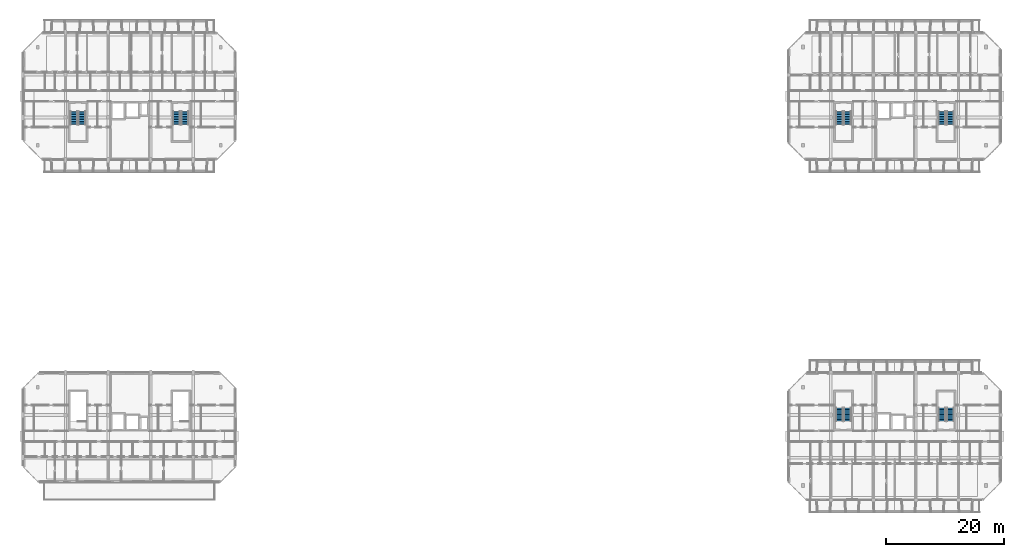
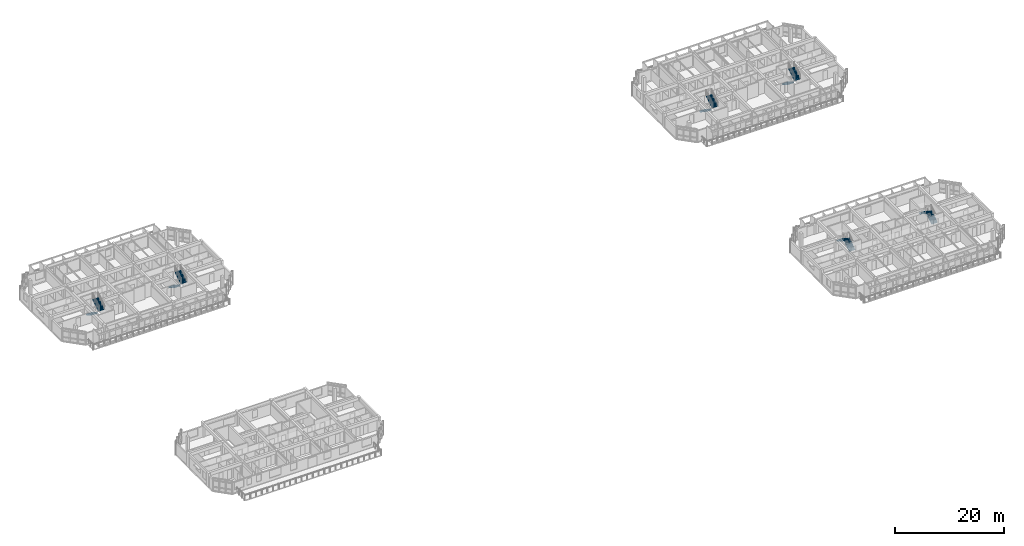
# One storey, part 29 of 40: 12 stair flights, 6 elements without a shape of their own.
"""IFC4 building model written with IfcOpenShell, lengths in metres."""

import ifcopenshell
import ifcopenshell.guid

model = None  # the IFC model being written
_history = None  # IfcOwnerHistory: only IFC2X3 demands one
_inside = {}  # id of a spatial element -> (the spatial element, [elements in it])
_under = {}  # id of a project, library or spatial element -> (it, [spatial elements below it])
_declared = {}  # id of a project -> (the project, [libraries it declares])
_typed = {}  # id of a type object -> (the type object, [elements of that type])
_made_of = {}  # id of a material, layer set ... -> (it, [elements and type objects made of it])


def new_model(schema):
    """Start an empty IFC model of exactly this schema.

    Asked for "IFC4X3", IfcOpenShell would pick the latest addendum, in which some entities
    have other attributes; the version numbers below select the first issue.
    IFC2X3 requires an IfcOwnerHistory on every rooted entity: one is made here for all.
    """
    global model, _history
    if schema == "IFC4X3":
        model = ifcopenshell.file(schema_version=(4, 3, 0, 0))
    else:
        model = ifcopenshell.file(schema=schema)
    _inside.clear()
    _under.clear()
    _declared.clear()
    _typed.clear()
    _made_of.clear()
    _history = None
    if model.schema == "IFC2X3":
        org = make("IfcOrganization", Name="unknown")
        user = make(
            "IfcPersonAndOrganization",
            ThePerson=make("IfcPerson", FamilyName="unknown"),
            TheOrganization=org,
        )
        app = make(
            "IfcApplication",
            ApplicationDeveloper=org,
            Version="unknown",
            ApplicationFullName="unknown",
            ApplicationIdentifier="unknown",
        )
        _history = make(
            "IfcOwnerHistory",
            OwningUser=user,
            OwningApplication=app,
            ChangeAction="ADDED",
            CreationDate=0,
        )
    return model


def make(cls, **values):
    """One entity of the class cls with the attributes given. An attribute that is None is left unset."""
    return model.create_entity(
        cls, **{name: value for name, value in values.items() if value is not None}
    )


def rooted(cls, **values):
    """An entity with a GlobalId (a new one), such as an element, a storey or a relation."""
    return make(cls, GlobalId=ifcopenshell.guid.new(), OwnerHistory=_history, **values)


def si_unit(unit_type, name, prefix=None):
    """IfcSIUnit, for example si_unit("LENGTHUNIT", "METRE", prefix="MILLI")."""
    return make("IfcSIUnit", UnitType=unit_type, Prefix=prefix, Name=name)


def assignment(units):
    """IfcUnitAssignment: the units of a project."""
    return None if units is None else make("IfcUnitAssignment", Units=units)


def point(xyz):
    """IfcCartesianPoint."""
    return None if xyz is None else make("IfcCartesianPoint", Coordinates=xyz)


def direction(xyz):
    """IfcDirection."""
    return None if xyz is None else make("IfcDirection", DirectionRatios=xyz)


def frame(location, z_axis=None, x_axis=None):
    """IfcAxis2Placement3D, a coordinate frame: its origin and axes. An axis left out is left unset."""
    return make(
        "IfcAxis2Placement3D",
        Location=point(location),
        Axis=direction(z_axis),
        RefDirection=direction(x_axis),
    )


def origin():
    """The frame at (0, 0, 0) with its axes left unset."""
    return frame((0.0, 0.0, 0.0))


def place(relative_to, where):
    """IfcLocalPlacement: puts the frame where relative to a parent placement (None: the world)."""
    return make(
        "IfcLocalPlacement", PlacementRelTo=relative_to, RelativePlacement=where
    )


def context(
    kind, dimensions, precision=None, world=None, true_north=None, identifier=None
):
    """IfcGeometricRepresentationContext, for example the 3D "Model" context."""
    return make(
        "IfcGeometricRepresentationContext",
        ContextIdentifier=identifier,
        ContextType=kind,
        CoordinateSpaceDimension=dimensions,
        Precision=precision,
        WorldCoordinateSystem=world,
        TrueNorth=true_north,
    )


def subcontext(parent, identifier, kind, view, scale=None):
    """IfcGeometricRepresentationSubContext, for example "Body" below "Model"."""
    return make(
        "IfcGeometricRepresentationSubContext",
        ContextIdentifier=identifier,
        ContextType=kind,
        ParentContext=parent,
        TargetScale=scale,
        TargetView=view,
    )


def project(units=None, contexts=None):
    """IfcProject with its units and contexts."""
    return rooted(
        "IfcProject",
        Name="project",
        RepresentationContexts=contexts,
        UnitsInContext=assignment(units),
    )


def spatial(cls, under=None, at=None, **own):
    """A site, building, storey or space (cls), placed at a placement, below another one or the project."""
    s = rooted(cls, ObjectPlacement=at, **own)
    if under is not None:
        _under.setdefault(under.id(), (under, []))[1].append(s)
    return s


def polyline(points):
    """IfcPolyline through the points."""
    return make("IfcPolyline", Points=[point(p) for p in points])


def outline(outer, holes=None, kind="AREA"):
    """IfcArbitraryClosedProfileDef: a profile drawn as a closed curve; with holes, ...WithVoids."""
    if holes is None:
        return make("IfcArbitraryClosedProfileDef", ProfileType=kind, OuterCurve=outer)
    return make(
        "IfcArbitraryProfileDefWithVoids",
        ProfileType=kind,
        OuterCurve=outer,
        InnerCurves=holes,
    )


def extrude(swept, where, along, depth):
    """IfcExtrudedAreaSolid: the profile swept, set in the frame where, extruded along a direction by depth."""
    return make(
        "IfcExtrudedAreaSolid",
        SweptArea=swept,
        Position=where,
        ExtrudedDirection=direction(along),
        Depth=depth,
    )


def shape(context_of_items, identifier, shape_type, items):
    """IfcShapeRepresentation: the items that make up one representation, for example the "Body"."""
    return make(
        "IfcShapeRepresentation",
        ContextOfItems=context_of_items,
        RepresentationIdentifier=identifier,
        RepresentationType=shape_type,
        Items=items,
    )


def material(Name=None, Category=None):
    """IfcMaterial."""
    return make("IfcMaterial", Name=Name, Category=Category)


def made_of(thing, what):
    """Note that an element or type object is made of a material, layer set ...; save() writes the relation."""
    if what is not None:
        _made_of.setdefault(what.id(), (what, []))[1].append(thing)
    return thing


def type_object(cls, material=None, **own):
    """A type object (cls), such as IfcWallType, which elements share."""
    return made_of(rooted(cls, **own), material)


def element(
    cls,
    number,
    at=None,
    inside=None,
    cuts=None,
    type_object=None,
    material=None,
    context=None,
    identifier="Body",
    shape_type=None,
    held_by="IfcProductDefinitionShape",
    body=None,
    shapes=None,
    **own,
):
    """One element of the class cls, such as IfcWall. Its Tag is "e" and its number.

    at: its placement. inside: the storey or other place that contains it. cuts: it is an
    opening in that element (IfcRelVoidsElement). A single representation is given by context,
    identifier, shape_type and body (its items); several are given by shapes. held_by: the class
    of the entity that holds the representations. save() writes the other relations.
    """
    e = rooted(cls, Tag="e%d" % number, ObjectPlacement=at, **own)
    if body is not None:
        shapes = [shape(context, identifier, shape_type, body)]
    if shapes is not None:
        e.Representation = make(held_by, Representations=shapes)
    if inside is not None:
        _inside.setdefault(inside.id(), (inside, []))[1].append(e)
    if cuts is not None:
        rooted(
            "IfcRelVoidsElement", RelatingBuildingElement=cuts, RelatedOpeningElement=e
        )
    if type_object is not None:
        _typed.setdefault(type_object.id(), (type_object, []))[1].append(e)
    return made_of(e, material)


def aggregate(whole, parts):
    """IfcRelAggregates: a whole, such as a stair, and the parts it consists of."""
    return rooted("IfcRelAggregates", RelatingObject=whole, RelatedObjects=parts)


def save(model, path):
    """Write the relations noted so far, then the file.

    IfcRelAggregates (storeys below a building ...), IfcRelContainedInSpatialStructure (elements
    in a storey), IfcRelDefinesByType, IfcRelAssociatesMaterial and IfcRelDeclares: one each for
    every whole, place, type object, material and project.
    """
    for whole, parts in _under.values():
        aggregate(whole, parts)
    for where, things in _inside.values():
        rooted(
            "IfcRelContainedInSpatialStructure",
            RelatedElements=things,
            RelatingStructure=where,
        )
    for kind, things in _typed.values():
        rooted("IfcRelDefinesByType", RelatedObjects=things, RelatingType=kind)
    for what, things in _made_of.values():
        rooted("IfcRelAssociatesMaterial", RelatedObjects=things, RelatingMaterial=what)
    for by, libraries in _declared.values():
        rooted("IfcRelDeclares", RelatingContext=by, RelatedDefinitions=libraries)
    model.write(path)


model = new_model("IFC4")

# Units and contexts
model_context = context("Model", 3, precision=1e-05, world=origin(), true_north=direction((0.0, 1.0)))
body_context = subcontext(model_context, "Body", "Model", "MODEL_VIEW")
ifc_project = project(units=[si_unit("LENGTHUNIT", "METRE"), si_unit("AREAUNIT", "SQUARE_METRE"), si_unit("VOLUMEUNIT", "CUBIC_METRE"), si_unit("PLANEANGLEUNIT", "RADIAN"), si_unit("MASSUNIT", "GRAM", prefix="KILO")], contexts=[model_context])

# Site, building, storey
site_placement = place(None, origin())
site = spatial("IfcSite", under=ifc_project, at=site_placement, CompositionType="ELEMENT")
building_placement = place(site_placement, origin())
building = spatial("IfcBuilding", under=site, at=building_placement, Name="Ochrevale Crest", CompositionType="ELEMENT")
storey_placement = place(building_placement, frame((0.0, 0.0, 27.60009765625)))
storey = spatial("IfcBuildingStorey", under=building, at=storey_placement, Name="L08", CompositionType="ELEMENT", Elevation=27.60009765625)

# Stair, stair flights
ifc_material = material(Name="Precast concrete C40/50", Category="concrete")
stair_type = type_object("IfcStairType", Name="ST-CORE-DOG", PredefinedType="HALF_TURN_STAIR", material=ifc_material)
stair_1_placement = place(storey_placement, origin())
stair_1 = element("IfcStair", 1, at=stair_1_placement, inside=storey, type_object=stair_type, Name="L08 Block B Fire Stair 1", PredefinedType="HALF_TURN_STAIR")
stair_flight_type = type_object("IfcStairFlightType", Name="SFL-CORE-125", PredefinedType="STRAIGHT", material=ifc_material)
stair_flight_1_placement = place(storey_placement, frame((8.625, 80.22509765625, 0.0), z_axis=(0.0, 0.0, 1.0), x_axis=(0.0, -1.0, 0.0)))
stair_flight_1 = element("IfcStairFlight", 2, at=stair_flight_1_placement, type_object=stair_flight_type, Name="ST-B1 flight 1", NumberOfRisers=9, NumberOfTreads=8, PredefinedType="STRAIGHT", RiserHeight=0.175, TreadLength=0.28, context=body_context, shape_type="SweptSolid", body=[
    extrude(outline(polyline([(0.0, 0.0), (0.0, 0.175048828125), (0.280029296875, 0.175048828125), (0.280029296875, 0.35009765625), (0.56005859375, 0.35009765625), (0.56005859375, 0.52490234375), (0.840087890625, 0.52490234375), (0.840087890625, 0.699951171875), (1.1201171875, 0.699951171875), (1.1201171875, 0.875), (1.39990234375, 0.875), (1.39990234375, 1.050048828125), (1.679931640625, 1.050048828125), (1.679931640625, 1.22509765625), (1.9599609375, 1.22509765625), (1.9599609375, 1.39990234375), (2.239990234375, 1.39990234375), (2.239990234375, 1.574951171875), (2.239990234375, 1.22314453125), (0.28271484375, 0.0), (0.0, 0.0)])), frame((0.0, 0.625, 0.0), z_axis=(0.0, -1.0, 0.0), x_axis=(1.0, 0.0, 0.0)), (0.0, 0.0, 1.0), 1.25),
])
stair_flight_2_placement = place(storey_placement, frame((10.02490234375, 77.985107421875, 1.574951171875), z_axis=(0.0, 0.0, 1.0), x_axis=(0.0, 1.0, 0.0)))
stair_flight_2 = element("IfcStairFlight", 3, at=stair_flight_2_placement, type_object=stair_flight_type, Name="ST-B1 flight 2", NumberOfRisers=9, NumberOfTreads=8, PredefinedType="STRAIGHT", RiserHeight=0.175, TreadLength=0.28, context=body_context, shape_type="SweptSolid", body=[
    extrude(outline(polyline([(0.0, 0.0), (0.0, 0.175048828125), (0.280029296875, 0.175048828125), (0.280029296875, 0.35009765625), (0.56005859375, 0.35009765625), (0.56005859375, 0.52490234375), (0.840087890625, 0.52490234375), (0.840087890625, 0.699951171875), (1.1201171875, 0.699951171875), (1.1201171875, 0.875), (1.39990234375, 0.875), (1.39990234375, 1.050048828125), (1.679931640625, 1.050048828125), (1.679931640625, 1.22509765625), (1.9599609375, 1.22509765625), (1.9599609375, 1.39990234375), (2.239990234375, 1.39990234375), (2.239990234375, 1.574951171875), (2.239990234375, 1.22314453125), (0.28271484375, 0.0), (0.0, 0.0)])), frame((0.0, 0.625, 0.0), z_axis=(0.0, -1.0, 0.0), x_axis=(1.0, 0.0, 0.0)), (0.0, 0.0, 1.0), 1.25),
])
aggregate(stair_1, [stair_flight_1, stair_flight_2])

stair_2_placement = place(storey_placement, origin())
stair_2 = element("IfcStair", 4, at=stair_2_placement, inside=storey, type_object=stair_type, Name="L08 Block B Fire Stair 2", PredefinedType="HALF_TURN_STAIR")
stair_flight_3_placement = place(storey_placement, frame((26.02490234375, 80.22509765625, 0.0), z_axis=(0.0, 0.0, 1.0), x_axis=(0.0, -1.0, 0.0)))
stair_flight_3 = element("IfcStairFlight", 5, at=stair_flight_3_placement, type_object=stair_flight_type, Name="ST-B2 flight 1", NumberOfRisers=9, NumberOfTreads=8, PredefinedType="STRAIGHT", RiserHeight=0.175, TreadLength=0.28, context=body_context, shape_type="SweptSolid", body=[
    extrude(outline(polyline([(0.0, 0.0), (0.0, 0.175048828125), (0.280029296875, 0.175048828125), (0.280029296875, 0.35009765625), (0.56005859375, 0.35009765625), (0.56005859375, 0.52490234375), (0.840087890625, 0.52490234375), (0.840087890625, 0.699951171875), (1.1201171875, 0.699951171875), (1.1201171875, 0.875), (1.39990234375, 0.875), (1.39990234375, 1.050048828125), (1.679931640625, 1.050048828125), (1.679931640625, 1.22509765625), (1.9599609375, 1.22509765625), (1.9599609375, 1.39990234375), (2.239990234375, 1.39990234375), (2.239990234375, 1.574951171875), (2.239990234375, 1.22314453125), (0.28271484375, 0.0), (0.0, 0.0)])), frame((0.0, 0.625, 0.0), z_axis=(0.0, -1.0, 0.0), x_axis=(1.0, 0.0, 0.0)), (0.0, 0.0, 1.0), 1.25),
])
stair_flight_4_placement = place(storey_placement, frame((27.425048828125, 77.985107421875, 1.574951171875), z_axis=(0.0, 0.0, 1.0), x_axis=(0.0, 1.0, 0.0)))
stair_flight_4 = element("IfcStairFlight", 6, at=stair_flight_4_placement, type_object=stair_flight_type, Name="ST-B2 flight 2", NumberOfRisers=9, NumberOfTreads=8, PredefinedType="STRAIGHT", RiserHeight=0.175, TreadLength=0.28, context=body_context, shape_type="SweptSolid", body=[
    extrude(outline(polyline([(0.0, 0.0), (0.0, 0.175048828125), (0.280029296875, 0.175048828125), (0.280029296875, 0.35009765625), (0.56005859375, 0.35009765625), (0.56005859375, 0.52490234375), (0.840087890625, 0.52490234375), (0.840087890625, 0.699951171875), (1.1201171875, 0.699951171875), (1.1201171875, 0.875), (1.39990234375, 0.875), (1.39990234375, 1.050048828125), (1.679931640625, 1.050048828125), (1.679931640625, 1.22509765625), (1.9599609375, 1.22509765625), (1.9599609375, 1.39990234375), (2.239990234375, 1.39990234375), (2.239990234375, 1.574951171875), (2.239990234375, 1.22314453125), (0.28271484375, 0.0), (0.0, 0.0)])), frame((0.0, 0.625, 0.0), z_axis=(0.0, -1.0, 0.0), x_axis=(1.0, 0.0, 0.0)), (0.0, 0.0, 1.0), 1.25),
])
aggregate(stair_2, [stair_flight_3, stair_flight_4])

stair_3_placement = place(storey_placement, origin())
stair_3 = element("IfcStair", 7, at=stair_3_placement, inside=storey, type_object=stair_type, Name="L08 Block C Fire Stair 1", PredefinedType="HALF_TURN_STAIR")
stair_flight_5_placement = place(storey_placement, frame((139.625, 27.77490234375, 0.0), z_axis=(0.0, 0.0, 1.0), x_axis=(0.0, 1.0, 0.0)))
stair_flight_5 = element("IfcStairFlight", 8, at=stair_flight_5_placement, type_object=stair_flight_type, Name="ST-C1 flight 1", NumberOfRisers=9, NumberOfTreads=8, PredefinedType="STRAIGHT", RiserHeight=0.175, TreadLength=0.28, context=body_context, shape_type="SweptSolid", body=[
    extrude(outline(polyline([(0.0, 0.0), (0.0, 0.175048828125), (0.280029296875, 0.175048828125), (0.280029296875, 0.35009765625), (0.56005859375, 0.35009765625), (0.56005859375, 0.52490234375), (0.840087890625, 0.52490234375), (0.840087890625, 0.699951171875), (1.1201171875, 0.699951171875), (1.1201171875, 0.875), (1.39990234375, 0.875), (1.39990234375, 1.050048828125), (1.679931640625, 1.050048828125), (1.679931640625, 1.22509765625), (1.9599609375, 1.22509765625), (1.9599609375, 1.39990234375), (2.239990234375, 1.39990234375), (2.239990234375, 1.574951171875), (2.239990234375, 1.22314453125), (0.28271484375, 0.0), (0.0, 0.0)])), frame((0.0, 0.625, 0.0), z_axis=(0.0, -1.0, 0.0), x_axis=(1.0, 0.0, 0.0)), (0.0, 0.0, 1.0), 1.25),
])
stair_flight_6_placement = place(storey_placement, frame((138.22509765625, 30.014892578125, 1.574951171875), z_axis=(0.0, 0.0, 1.0), x_axis=(0.0, -1.0, 0.0)))
stair_flight_6 = element("IfcStairFlight", 9, at=stair_flight_6_placement, type_object=stair_flight_type, Name="ST-C1 flight 2", NumberOfRisers=9, NumberOfTreads=8, PredefinedType="STRAIGHT", RiserHeight=0.175, TreadLength=0.28, context=body_context, shape_type="SweptSolid", body=[
    extrude(outline(polyline([(0.0, 0.0), (0.0, 0.175048828125), (0.280029296875, 0.175048828125), (0.280029296875, 0.35009765625), (0.56005859375, 0.35009765625), (0.56005859375, 0.52490234375), (0.840087890625, 0.52490234375), (0.840087890625, 0.699951171875), (1.1201171875, 0.699951171875), (1.1201171875, 0.875), (1.39990234375, 0.875), (1.39990234375, 1.050048828125), (1.679931640625, 1.050048828125), (1.679931640625, 1.22509765625), (1.9599609375, 1.22509765625), (1.9599609375, 1.39990234375), (2.239990234375, 1.39990234375), (2.239990234375, 1.574951171875), (2.239990234375, 1.22314453125), (0.28271484375, 0.0), (0.0, 0.0)])), frame((0.0, 0.625, 0.0), z_axis=(0.0, -1.0, 0.0), x_axis=(1.0, 0.0, 0.0)), (0.0, 0.0, 1.0), 1.25),
])
aggregate(stair_3, [stair_flight_5, stair_flight_6])

stair_4_placement = place(storey_placement, origin())
stair_4 = element("IfcStair", 10, at=stair_4_placement, inside=storey, type_object=stair_type, Name="L08 Block C Fire Stair 2", PredefinedType="HALF_TURN_STAIR")
stair_flight_7_placement = place(storey_placement, frame((157.02490234375, 27.77490234375, 0.0), z_axis=(0.0, 0.0, 1.0), x_axis=(0.0, 1.0, 0.0)))
stair_flight_7 = element("IfcStairFlight", 11, at=stair_flight_7_placement, type_object=stair_flight_type, Name="ST-C2 flight 1", NumberOfRisers=9, NumberOfTreads=8, PredefinedType="STRAIGHT", RiserHeight=0.175, TreadLength=0.28, context=body_context, shape_type="SweptSolid", body=[
    extrude(outline(polyline([(0.0, 0.0), (0.0, 0.175048828125), (0.280029296875, 0.175048828125), (0.280029296875, 0.35009765625), (0.56005859375, 0.35009765625), (0.56005859375, 0.52490234375), (0.840087890625, 0.52490234375), (0.840087890625, 0.699951171875), (1.1201171875, 0.699951171875), (1.1201171875, 0.875), (1.39990234375, 0.875), (1.39990234375, 1.050048828125), (1.679931640625, 1.050048828125), (1.679931640625, 1.22509765625), (1.9599609375, 1.22509765625), (1.9599609375, 1.39990234375), (2.239990234375, 1.39990234375), (2.239990234375, 1.574951171875), (2.239990234375, 1.22314453125), (0.28271484375, 0.0), (0.0, 0.0)])), frame((0.0, 0.625, 0.0), z_axis=(0.0, -1.0, 0.0), x_axis=(1.0, 0.0, 0.0)), (0.0, 0.0, 1.0), 1.25),
])
stair_flight_8_placement = place(storey_placement, frame((155.625, 30.014892578125, 1.574951171875), z_axis=(0.0, 0.0, 1.0), x_axis=(0.0, -1.0, 0.0)))
stair_flight_8 = element("IfcStairFlight", 12, at=stair_flight_8_placement, type_object=stair_flight_type, Name="ST-C2 flight 2", NumberOfRisers=9, NumberOfTreads=8, PredefinedType="STRAIGHT", RiserHeight=0.175, TreadLength=0.28, context=body_context, shape_type="SweptSolid", body=[
    extrude(outline(polyline([(0.0, 0.0), (0.0, 0.175048828125), (0.280029296875, 0.175048828125), (0.280029296875, 0.35009765625), (0.56005859375, 0.35009765625), (0.56005859375, 0.52490234375), (0.840087890625, 0.52490234375), (0.840087890625, 0.699951171875), (1.1201171875, 0.699951171875), (1.1201171875, 0.875), (1.39990234375, 0.875), (1.39990234375, 1.050048828125), (1.679931640625, 1.050048828125), (1.679931640625, 1.22509765625), (1.9599609375, 1.22509765625), (1.9599609375, 1.39990234375), (2.239990234375, 1.39990234375), (2.239990234375, 1.574951171875), (2.239990234375, 1.22314453125), (0.28271484375, 0.0), (0.0, 0.0)])), frame((0.0, 0.625, 0.0), z_axis=(0.0, -1.0, 0.0), x_axis=(1.0, 0.0, 0.0)), (0.0, 0.0, 1.0), 1.25),
])
aggregate(stair_4, [stair_flight_7, stair_flight_8])

stair_5_placement = place(storey_placement, origin())
stair_5 = element("IfcStair", 13, at=stair_5_placement, inside=storey, type_object=stair_type, Name="L08 Block D Fire Stair 1", PredefinedType="HALF_TURN_STAIR")
stair_flight_9_placement = place(storey_placement, frame((138.22509765625, 80.22509765625, 0.0), z_axis=(0.0, 0.0, 1.0), x_axis=(0.0, -1.0, 0.0)))
stair_flight_9 = element("IfcStairFlight", 14, at=stair_flight_9_placement, type_object=stair_flight_type, Name="ST-D1 flight 1", NumberOfRisers=9, NumberOfTreads=8, PredefinedType="STRAIGHT", RiserHeight=0.175, TreadLength=0.28, context=body_context, shape_type="SweptSolid", body=[
    extrude(outline(polyline([(0.0, 0.0), (0.0, 0.175048828125), (0.280029296875, 0.175048828125), (0.280029296875, 0.35009765625), (0.56005859375, 0.35009765625), (0.56005859375, 0.52490234375), (0.840087890625, 0.52490234375), (0.840087890625, 0.699951171875), (1.1201171875, 0.699951171875), (1.1201171875, 0.875), (1.39990234375, 0.875), (1.39990234375, 1.050048828125), (1.679931640625, 1.050048828125), (1.679931640625, 1.22509765625), (1.9599609375, 1.22509765625), (1.9599609375, 1.39990234375), (2.239990234375, 1.39990234375), (2.239990234375, 1.574951171875), (2.239990234375, 1.22314453125), (0.28271484375, 0.0), (0.0, 0.0)])), frame((0.0, 0.625, 0.0), z_axis=(0.0, -1.0, 0.0), x_axis=(1.0, 0.0, 0.0)), (0.0, 0.0, 1.0), 1.25),
])
stair_flight_10_placement = place(storey_placement, frame((139.625, 77.985107421875, 1.574951171875), z_axis=(0.0, 0.0, 1.0), x_axis=(0.0, 1.0, 0.0)))
stair_flight_10 = element("IfcStairFlight", 15, at=stair_flight_10_placement, type_object=stair_flight_type, Name="ST-D1 flight 2", NumberOfRisers=9, NumberOfTreads=8, PredefinedType="STRAIGHT", RiserHeight=0.175, TreadLength=0.28, context=body_context, shape_type="SweptSolid", body=[
    extrude(outline(polyline([(0.0, 0.0), (0.0, 0.175048828125), (0.280029296875, 0.175048828125), (0.280029296875, 0.35009765625), (0.56005859375, 0.35009765625), (0.56005859375, 0.52490234375), (0.840087890625, 0.52490234375), (0.840087890625, 0.699951171875), (1.1201171875, 0.699951171875), (1.1201171875, 0.875), (1.39990234375, 0.875), (1.39990234375, 1.050048828125), (1.679931640625, 1.050048828125), (1.679931640625, 1.22509765625), (1.9599609375, 1.22509765625), (1.9599609375, 1.39990234375), (2.239990234375, 1.39990234375), (2.239990234375, 1.574951171875), (2.239990234375, 1.22314453125), (0.28271484375, 0.0), (0.0, 0.0)])), frame((0.0, 0.625, 0.0), z_axis=(0.0, -1.0, 0.0), x_axis=(1.0, 0.0, 0.0)), (0.0, 0.0, 1.0), 1.25),
])
aggregate(stair_5, [stair_flight_9, stair_flight_10])

stair_6_placement = place(storey_placement, origin())
stair_6 = element("IfcStair", 16, at=stair_6_placement, inside=storey, type_object=stair_type, Name="L08 Block D Fire Stair 2", PredefinedType="HALF_TURN_STAIR")
stair_flight_11_placement = place(storey_placement, frame((155.625, 80.22509765625, 0.0), z_axis=(0.0, 0.0, 1.0), x_axis=(0.0, -1.0, 0.0)))
stair_flight_11 = element("IfcStairFlight", 17, at=stair_flight_11_placement, type_object=stair_flight_type, Name="ST-D2 flight 1", NumberOfRisers=9, NumberOfTreads=8, PredefinedType="STRAIGHT", RiserHeight=0.175, TreadLength=0.28, context=body_context, shape_type="SweptSolid", body=[
    extrude(outline(polyline([(0.0, 0.0), (0.0, 0.175048828125), (0.280029296875, 0.175048828125), (0.280029296875, 0.35009765625), (0.56005859375, 0.35009765625), (0.56005859375, 0.52490234375), (0.840087890625, 0.52490234375), (0.840087890625, 0.699951171875), (1.1201171875, 0.699951171875), (1.1201171875, 0.875), (1.39990234375, 0.875), (1.39990234375, 1.050048828125), (1.679931640625, 1.050048828125), (1.679931640625, 1.22509765625), (1.9599609375, 1.22509765625), (1.9599609375, 1.39990234375), (2.239990234375, 1.39990234375), (2.239990234375, 1.574951171875), (2.239990234375, 1.22314453125), (0.28271484375, 0.0), (0.0, 0.0)])), frame((0.0, 0.625, 0.0), z_axis=(0.0, -1.0, 0.0), x_axis=(1.0, 0.0, 0.0)), (0.0, 0.0, 1.0), 1.25),
])
stair_flight_12_placement = place(storey_placement, frame((157.02490234375, 77.985107421875, 1.574951171875), z_axis=(0.0, 0.0, 1.0), x_axis=(0.0, 1.0, 0.0)))
stair_flight_12 = element("IfcStairFlight", 18, at=stair_flight_12_placement, type_object=stair_flight_type, Name="ST-D2 flight 2", NumberOfRisers=9, NumberOfTreads=8, PredefinedType="STRAIGHT", RiserHeight=0.175, TreadLength=0.28, context=body_context, shape_type="SweptSolid", body=[
    extrude(outline(polyline([(0.0, 0.0), (0.0, 0.175048828125), (0.280029296875, 0.175048828125), (0.280029296875, 0.35009765625), (0.56005859375, 0.35009765625), (0.56005859375, 0.52490234375), (0.840087890625, 0.52490234375), (0.840087890625, 0.699951171875), (1.1201171875, 0.699951171875), (1.1201171875, 0.875), (1.39990234375, 0.875), (1.39990234375, 1.050048828125), (1.679931640625, 1.050048828125), (1.679931640625, 1.22509765625), (1.9599609375, 1.22509765625), (1.9599609375, 1.39990234375), (2.239990234375, 1.39990234375), (2.239990234375, 1.574951171875), (2.239990234375, 1.22314453125), (0.28271484375, 0.0), (0.0, 0.0)])), frame((0.0, 0.625, 0.0), z_axis=(0.0, -1.0, 0.0), x_axis=(1.0, 0.0, 0.0)), (0.0, 0.0, 1.0), 1.25),
])
aggregate(stair_6, [stair_flight_11, stair_flight_12])

save(model, "model.ifc")
